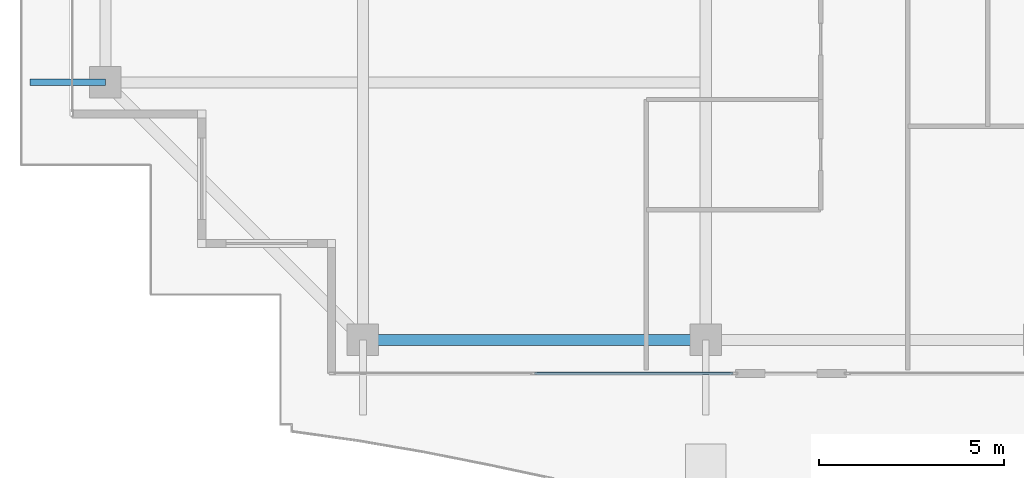
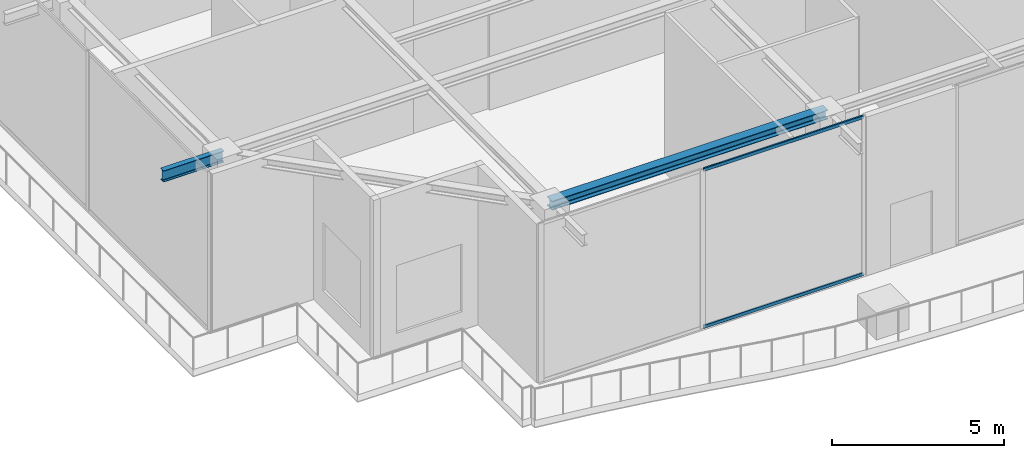
# One storey, part 3 of 38: 2 beams, 2 members, 1 element without a shape of its own.
"""IFC4 building model written with IfcOpenShell, lengths in metres."""

from ifc_helpers import new_model, si_unit, direction, frame, origin, origin_2d, place, context, subcontext, project, spatial, hollow_rectangle, i_section, extrude, source, transform, mapped, material, layer, layer_set, material_profile, profile_set, type_object, element, aggregate, save


model = new_model("IFC4")

# Units and contexts
model_context = context("Model", 3, precision=1e-05, world=origin(), true_north=direction((0.0, 1.0)))
body_context = subcontext(model_context, "Body", "Model", "MODEL_VIEW")
ifc_project = project(units=[si_unit("LENGTHUNIT", "METRE"), si_unit("AREAUNIT", "SQUARE_METRE"), si_unit("VOLUMEUNIT", "CUBIC_METRE"), si_unit("PLANEANGLEUNIT", "RADIAN"), si_unit("MASSUNIT", "GRAM", prefix="KILO")], contexts=[model_context])

# Site, building, storey
site_placement = place(None, origin())
site = spatial("IfcSite", under=ifc_project, at=site_placement, CompositionType="ELEMENT")
building_placement = place(site_placement, origin())
building = spatial("IfcBuilding", under=site, at=building_placement, Name="Serunith Strait Residences", CompositionType="ELEMENT")
storey_placement = place(building_placement, frame((0.0, 0.0, 342.050048828125)))
storey = spatial("IfcBuildingStorey", under=building, at=storey_placement, Name="L85", CompositionType="ELEMENT", Elevation=342.050048828125)

# Beams
ifc_material_1 = material(Name="Steel S355J2", Category="steel")
ifc_material_profile_1 = material_profile(ifc_material_1, i_section(OverallWidth=0.300048828125, OverallDepth=0.320068359375, WebThickness=0.011474609375, FlangeThickness=0.0205078125, FilletRadius=0.027099609375, at=origin_2d()), Name="HEB 320")
ifc_profile_set_1 = profile_set([ifc_material_profile_1], Name="Steel S355J2")
beam_type_1 = type_object("IfcBeamType", Name="BM-HEB320", PredefinedType="BEAM", material=ifc_profile_set_1)
shared_shape_1 = source(origin(), body_context, "Body", "SweptSolid", [
    extrude(i_section(OverallWidth=0.300048828125, OverallDepth=0.320068359375, WebThickness=0.011474609375, FlangeThickness=0.0205078125, FilletRadius=0.027099609375, at=origin_2d()), origin(), (0.0, 0.0, 1.0), 9.25),
])
beam_1_placement = place(storey_placement, frame((18.64990234375, 4.89990234375, 5.47705078125), z_axis=(1.0, 0.0, 0.0), x_axis=(0.0, 1.0, 0.0)))
element("IfcBeam", 1, at=beam_1_placement, inside=storey, type_object=beam_type_1, Name="L85 Perimeter Ring Beam 01", PredefinedType="BEAM", context=body_context, shape_type="MappedRepresentation", body=[
    mapped(shared_shape_1, transform((0.0, 0.0, 0.0), scale=1.0)),
])
ifc_material_profile_2 = material_profile(ifc_material_1, i_section(OverallWidth=0.179931640625, OverallDepth=0.39990234375, WebThickness=0.008544921875, FlangeThickness=0.013427734375, FilletRadius=0.02099609375, at=origin_2d()), Name="IPE 400")
ifc_profile_set_2 = profile_set([ifc_material_profile_2], Name="Steel S355J2")
beam_type_2 = type_object("IfcBeamType", Name="BM-IPE400", PredefinedType="JOIST", material=ifc_profile_set_2)
shared_shape_2 = source(origin(), body_context, "Body", "SweptSolid", [
    extrude(i_section(OverallWidth=0.179931640625, OverallDepth=0.39990234375, WebThickness=0.008544921875, FlangeThickness=0.013427734375, FilletRadius=0.02099609375, at=origin_2d()), origin(), (0.0, 0.0, 1.0), 2.030029296875),
])
beam_2_placement = place(storey_placement, frame((11.699951171875, 11.85009765625, 5.406982421875), z_axis=(-1.0, 0.0, 0.0), x_axis=(0.0, -1.0, 0.0)))
element("IfcBeam", 2, at=beam_2_placement, inside=storey, type_object=beam_type_2, Name="L86 Cantilevered Balcony Rib TC-W1", PredefinedType="JOIST", context=body_context, shape_type="MappedRepresentation", body=[
    mapped(shared_shape_2, transform((0.0, 0.0, 0.0), scale=1.0)),
])

# Curtain wall, members
ifc_material_2 = material(Name="Brushed Stainless-Silver Aluminium", Category="aluminium")
ifc_layer = layer(ifc_material_2, 0.199951171875, Name="Brushed Stainless-Silver Aluminium")
ifc_layer_set = layer_set([ifc_layer], Name="Brushed Stainless-Silver Aluminium")
curtain_wall_type = type_object("IfcCurtainWallType", Name="CW-SYS5", PredefinedType="NOTDEFINED", material=ifc_layer_set)
curtain_wall_placement = place(storey_placement, origin())
curtain_wall = element("IfcCurtainWall", 3, at=curtain_wall_placement, inside=storey, type_object=curtain_wall_type, Name="L85 S Unitised Fritted Curtain Wall", PredefinedType="NOTDEFINED")
ifc_material_profile_3 = material_profile(ifc_material_2, hollow_rectangle(XDim=0.06005859375, YDim=0.1201171875, WallThickness=0.00341796875, InnerFilletRadius=0.00537109375, OuterFilletRadius=0.0087890625, at=origin_2d()), Name="ALU 120x60x3.5")
ifc_profile_set_3 = profile_set([ifc_material_profile_3], Name="Brushed Stainless-Silver Aluminium")
member_type = type_object("IfcMemberType", Name="CW-SYS5-TRAN", PredefinedType="USERDEFINED", material=ifc_profile_set_3)
shared_shape_3 = source(origin(), body_context, "Body", "SweptSolid", [
    extrude(hollow_rectangle(XDim=0.06005859375, YDim=0.1201171875, WallThickness=0.00341796875, InnerFilletRadius=0.00537109375, OuterFilletRadius=0.0087890625, at=origin_2d()), origin(), (0.0, 0.0, 1.0), 5.3525390625),
])
member_1_placement = place(storey_placement, frame((23.282470703125, 4.0, 0.030029296875), z_axis=(1.0, 0.0, 0.0), x_axis=(0.0, 1.0, 0.0)))
member_1 = element("IfcMember", 4, at=member_1_placement, type_object=member_type, Name="CW-5 transom 2.1", ObjectType="TRANSOM", PredefinedType="USERDEFINED", context=body_context, shape_type="MappedRepresentation", body=[
    mapped(shared_shape_3, transform((0.0, 0.0, 0.0), scale=1.0)),
])
member_2_placement = place(storey_placement, frame((23.282470703125, 4.0, 5.594970703125), z_axis=(1.0, 0.0, 0.0), x_axis=(0.0, 1.0, 0.0)))
member_2 = element("IfcMember", 5, at=member_2_placement, type_object=member_type, Name="CW-5 transom 2.2", ObjectType="TRANSOM", PredefinedType="USERDEFINED", context=body_context, shape_type="MappedRepresentation", body=[
    mapped(shared_shape_3, transform((0.0, 0.0, 0.0), scale=1.0)),
])
aggregate(curtain_wall, [member_1, member_2])

save(model, "model.ifc")
